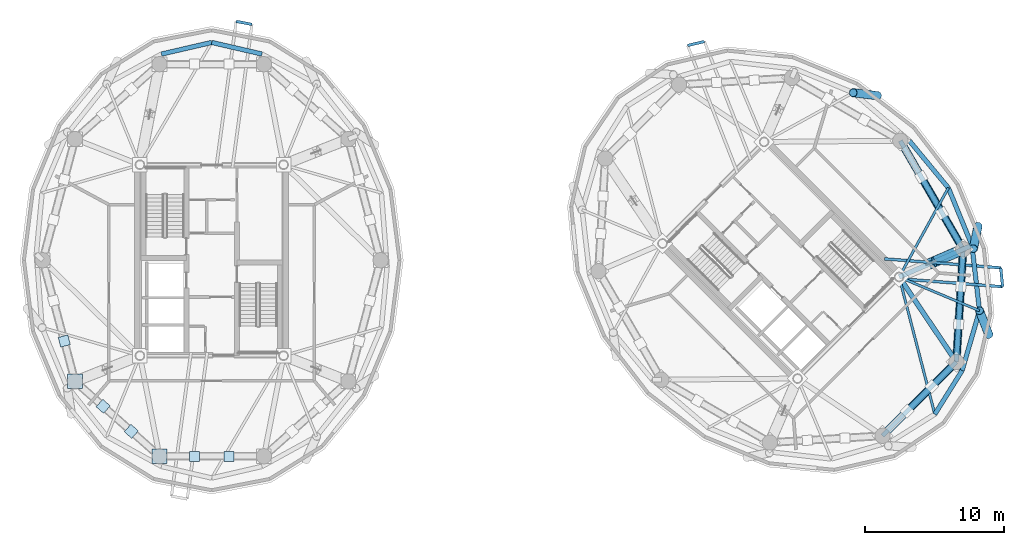
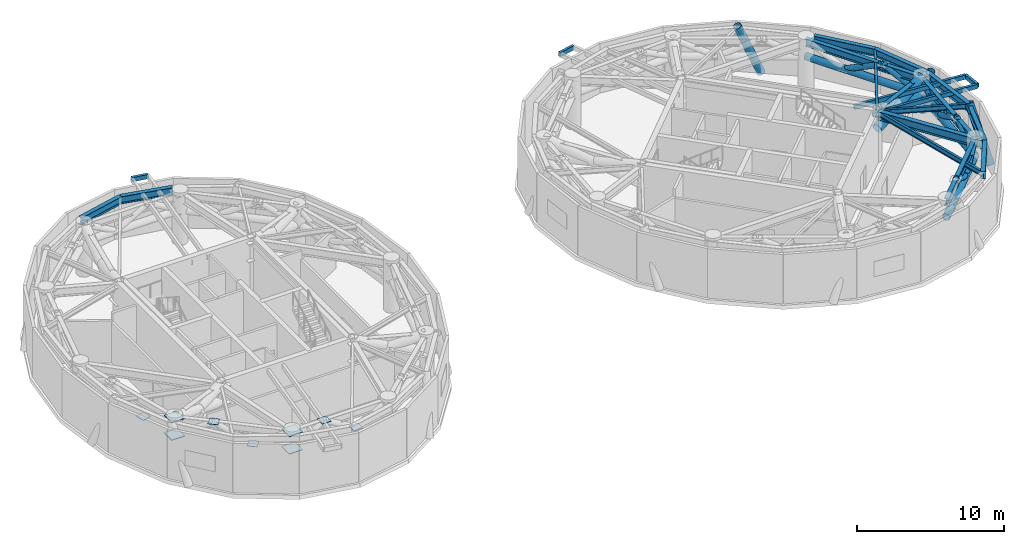
# One storey, part 5 of 14: 20 beams, 15 members, 9 plates.
"""IFC4 building model written with IfcOpenShell, lengths in metres."""

from ifc_helpers import new_model, si_unit, direction, frame, origin, origin_2d, place, context, subcontext, project, spatial, rectangle, hollow_rectangle, hollow_circle, i_section, extrude, source, transform, mapped, material, layer, layer_set, material_profile, profile_set, type_object, element, save


model = new_model("IFC4")

# Units and contexts
model_context = context("Model", 3, precision=1e-05, world=origin(), true_north=direction((0.0, 1.0)))
body_context = subcontext(model_context, "Body", "Model", "MODEL_VIEW")
ifc_project = project(units=[si_unit("LENGTHUNIT", "METRE"), si_unit("AREAUNIT", "SQUARE_METRE"), si_unit("VOLUMEUNIT", "CUBIC_METRE"), si_unit("PLANEANGLEUNIT", "RADIAN"), si_unit("MASSUNIT", "GRAM", prefix="KILO")], contexts=[model_context])

# Site, building, storey
site_placement = place(None, origin())
site = spatial("IfcSite", under=ifc_project, at=site_placement, CompositionType="ELEMENT")
building_placement = place(site_placement, origin())
building = spatial("IfcBuilding", under=site, at=building_placement, Name="Cununo Teusaquillo Station Towers", CompositionType="ELEMENT")
storey_placement = place(building_placement, frame((0.0, 0.0, 192.340087890625)))
storey = spatial("IfcBuildingStorey", under=building, at=storey_placement, Name="L61", CompositionType="ELEMENT", Elevation=192.340087890625)

# Beams
ifc_material_1 = material(Name="Steel EN 10025-2 S355J2", Category="steel")
ifc_material_profile_1 = material_profile(ifc_material_1, hollow_rectangle(XDim=0.199951171875, YDim=0.35009765625, WallThickness=0.013916015625, at=origin_2d()), Name="RHS 350x200x14")
ifc_profile_set_1 = profile_set([ifc_material_profile_1], Name="Steel EN 10025-2 S355J2")
beam_type_1 = type_object("IfcBeamType", Name="BM-BAL-CANT", PredefinedType="BEAM", material=ifc_profile_set_1)
beam_1_placement = place(storey_placement, frame((65.602783203125, 23.1982421875, 3.934814453125), z_axis=(0.997032447952, -0.076982450804, 0.0), x_axis=(0.076982450804, 0.997032447952, 0.0)))
element("IfcBeam", 1, at=beam_1_placement, inside=storey, type_object=beam_type_1, Name="L61 Tower B Balcony Cantilever Bracket 2A", PredefinedType="BEAM", context=body_context, shape_type="SweptSolid", body=[
    extrude(hollow_rectangle(XDim=0.199951171875, YDim=0.35009765625, WallThickness=0.013916015625, at=origin_2d()), origin(), (0.0, 0.0, 1.0), 7.89990234375),
])
beam_2_placement = place(storey_placement, frame((64.966064453125, 24.599853515625, 3.934814453125), z_axis=(0.997033941401, -0.076963106063, 0.0), x_axis=(0.076963106063, 0.997033941401, 0.0)))
element("IfcBeam", 2, at=beam_2_placement, inside=storey, type_object=beam_type_1, Name="L61 Tower B Balcony Cantilever Bracket 2B", PredefinedType="BEAM", context=body_context, shape_type="SweptSolid", body=[
    extrude(hollow_rectangle(XDim=0.199951171875, YDim=0.35009765625, WallThickness=0.013916015625, at=origin_2d()), origin(), (0.0, 0.0, 1.0), 8.403076171875),
])
ifc_material_2 = material(Name="Steel ASTM A572 Grade 50", Category="steel")
ifc_material_profile_2 = material_profile(ifc_material_2, i_section(OverallWidth=0.180908203125, OverallDepth=0.4169921875, WebThickness=0.010986328125, FlangeThickness=0.018310546875, FilletRadius=0.012939453125, at=origin_2d()), Name="W16X57")
ifc_profile_set_2 = profile_set([ifc_material_profile_2], Name="Steel ASTM A572 Grade 50")
beam_type_2 = type_object("IfcBeamType", Name="BM-JOIST-1", PredefinedType="JOIST", material=ifc_profile_set_2)
beam_3_placement = place(storey_placement, frame((66.024169921875, 23.29443359375, 3.9013671875), z_axis=(0.251559992432, -0.967841707206, 0.0), x_axis=(0.967841707206, 0.251559992432, 0.0)))
element("IfcBeam", 3, at=beam_3_placement, inside=storey, type_object=beam_type_2, Name="L61 Tower B Radial Spandrel Joist V15", PredefinedType="JOIST", context=body_context, shape_type="SweptSolid", body=[
    extrude(i_section(OverallWidth=0.180908203125, OverallDepth=0.4169921875, WebThickness=0.010986328125, FlangeThickness=0.018310546875, FilletRadius=0.012939453125, at=origin_2d()), origin(), (0.0, 0.0, 1.0), 10.217529296875),
])
beam_4_placement = place(storey_placement, frame((66.024169921875, 23.29443359375, 3.9013671875), z_axis=(0.922169338565, -0.386786389381, 0.0), x_axis=(0.386786389381, 0.922169338565, 0.0)))
element("IfcBeam", 4, at=beam_4_placement, inside=storey, type_object=beam_type_2, Name="L61 Tower B Radial Spandrel Joist V17", PredefinedType="JOIST", context=body_context, shape_type="SweptSolid", body=[
    extrude(i_section(OverallWidth=0.180908203125, OverallDepth=0.4169921875, WebThickness=0.010986328125, FlangeThickness=0.018310546875, FilletRadius=0.012939453125, at=origin_2d()), origin(), (0.0, 0.0, 1.0), 6.281005859375),
])
beam_5_placement = place(storey_placement, frame((66.024169921875, 23.29443359375, 3.9013671875), z_axis=(0.483552544108, 0.8753153358, 0.0), x_axis=(-0.8753153358, 0.483552544108, 0.0)))
element("IfcBeam", 5, at=beam_5_placement, inside=storey, type_object=beam_type_2, Name="L61 Tower B Radial Spandrel Joist V19", PredefinedType="JOIST", context=body_context, shape_type="SweptSolid", body=[
    extrude(i_section(OverallWidth=0.180908203125, OverallDepth=0.4169921875, WebThickness=0.010986328125, FlangeThickness=0.018310546875, FilletRadius=0.012939453125, at=origin_2d()), origin(), (0.0, 0.0, 1.0), 7.3330078125),
])
ifc_material_3 = material(Name="Steel ASTM A572 Grade 50", Category="steel")
ifc_material_profile_3 = material_profile(ifc_material_3, i_section(OverallWidth=0.35498046875, OverallDepth=0.696044921875, WebThickness=0.015380859375, FlangeThickness=0.02490234375, FilletRadius=0.01806640625, at=origin_2d()), Name="W27X146")
ifc_profile_set_3 = profile_set([ifc_material_profile_3], Name="Steel ASTM A572 Grade 50")
beam_type_3 = type_object("IfcBeamType", Name="BM-PLNT-G1", PredefinedType="BEAM", material=ifc_profile_set_3)
beam_6_placement = place(storey_placement, frame((66.024169921875, 23.29443359375, 3.761962890625), z_axis=(0.558570844079, -0.829456817529, 0.0), x_axis=(0.829456817529, 0.558570844079, 0.0)))
element("IfcBeam", 6, at=beam_6_placement, inside=storey, type_object=beam_type_3, Name="L61 Tower B Continuous Overhanging Radial Girder 09", PredefinedType="BEAM", context=body_context, shape_type="SweptSolid", body=[
    extrude(i_section(OverallWidth=0.35498046875, OverallDepth=0.696044921875, WebThickness=0.015380859375, FlangeThickness=0.02490234375, FilletRadius=0.01806640625, at=origin_2d()), origin(), (0.0, 0.0, 1.0), 8.1240234375),
])
beam_7_placement = place(storey_placement, frame((66.024169921875, 23.29443359375, 3.761962890625), z_axis=(0.917665176837, 0.397354530893, 0.0), x_axis=(-0.397354530893, 0.917665176837, 0.0)))
element("IfcBeam", 7, at=beam_7_placement, inside=storey, type_object=beam_type_3, Name="L61 Tower B Continuous Overhanging Radial Girder 10", PredefinedType="BEAM", context=body_context, shape_type="SweptSolid", body=[
    extrude(i_section(OverallWidth=0.35498046875, OverallDepth=0.696044921875, WebThickness=0.015380859375, FlangeThickness=0.02490234375, FilletRadius=0.01806640625, at=origin_2d()), origin(), (0.0, 0.0, 1.0), 5.716552734375),
])
ifc_material_4 = material(Name="Steel ASTM A572 Grade 50", Category="steel")
ifc_material_profile_4 = material_profile(ifc_material_4, i_section(OverallWidth=0.324951171875, OverallDepth=0.615966796875, WebThickness=0.013916015625, FlangeThickness=0.021484375, FilletRadius=0.01611328125, at=origin_2d()), Name="W24X117")
ifc_profile_set_4 = profile_set([ifc_material_profile_4], Name="Steel ASTM A572 Grade 50")
beam_type_4 = type_object("IfcBeamType", Name="BM-PLNT-G2", PredefinedType="BEAM", material=ifc_profile_set_4)
for number, where, z_axis, x_axis, name in (
    (8, (20.118896484375, 39.353515625, 3.802001953125), (-0.97431470066, 0.225190728224, 0.0), (-0.225190728224, -0.97431470066, 0.0), "L61 Tower A Spandrel Ring Beam 05"),
    (9, (16.5, 40.18994140625, 3.802001953125), (-0.97431470066, -0.225190728224, 0.0), (0.225190728224, -0.97431470066, 0.0), "L61 Tower A Spandrel Ring Beam 06"),
):
    element("IfcBeam", number, at=place(storey_placement, frame(where, z_axis=z_axis, x_axis=x_axis)), inside=storey, type_object=beam_type_4, Name=name, PredefinedType="BEAM", context=body_context, shape_type="SweptSolid", body=[
        extrude(i_section(OverallWidth=0.324951171875, OverallDepth=0.615966796875, WebThickness=0.013916015625, FlangeThickness=0.021484375, FilletRadius=0.01611328125, at=origin_2d()), origin(), (0.0, 0.0, 1.0), 3.71435546875),
    ])
beam_8_placement = place(storey_placement, frame((64.826904296875, 11.853759765625, 3.802001953125), z_axis=(0.707106781187, 0.707106781187, 0.0), x_axis=(-0.707106781187, 0.707106781187, 0.0)))
element("IfcBeam", 10, at=beam_8_placement, inside=storey, type_object=beam_type_4, Name="L61 Tower B Structural Column Ring Girder 08", PredefinedType="BEAM", context=body_context, shape_type="SweptSolid", body=[
    extrude(i_section(OverallWidth=0.324951171875, OverallDepth=0.615966796875, WebThickness=0.013916015625, FlangeThickness=0.021484375, FilletRadius=0.01611328125, at=origin_2d()), origin(), (0.0, 0.0, 1.0), 7.522705078125),
])
beam_9_placement = place(storey_placement, frame((70.146240234375, 17.173095703125, 3.802001953125), z_axis=(0.06012979176, 0.998190567048, 0.0), x_axis=(-0.998190567048, 0.06012979176, 0.0)))
element("IfcBeam", 11, at=beam_9_placement, inside=storey, type_object=beam_type_4, Name="L61 Tower B Structural Column Ring Girder 09", PredefinedType="BEAM", context=body_context, shape_type="SweptSolid", body=[
    extrude(i_section(OverallWidth=0.324951171875, OverallDepth=0.615966796875, WebThickness=0.013916015625, FlangeThickness=0.021484375, FilletRadius=0.01611328125, at=origin_2d()), origin(), (0.0, 0.0, 1.0), 8.132568359375),
])
beam_10_placement = place(storey_placement, frame((70.63525390625, 25.291015625, 3.802001953125), z_axis=(-0.501311121078, 0.865267103202, 0.0), x_axis=(-0.865267103202, -0.501311121078, 0.0)))
element("IfcBeam", 12, at=beam_10_placement, inside=storey, type_object=beam_type_4, Name="L61 Tower B Structural Column Ring Girder 10", PredefinedType="BEAM", context=body_context, shape_type="SweptSolid", body=[
    extrude(i_section(OverallWidth=0.324951171875, OverallDepth=0.615966796875, WebThickness=0.013916015625, FlangeThickness=0.021484375, FilletRadius=0.01611328125, at=origin_2d()), origin(), (0.0, 0.0, 1.0), 9.032958984375),
])
beam_11_placement = place(storey_placement, frame((68.594482421875, 13.405517578125, 3.802001953125), z_axis=(0.529715312739, 0.848175505099, 0.0), x_axis=(-0.848175505099, 0.529715312739, 0.0)))
element("IfcBeam", 13, at=beam_11_placement, inside=storey, type_object=beam_type_4, Name="L61 Tower B Spandrel Ring Beam 16", PredefinedType="BEAM", context=body_context, shape_type="SweptSolid", body=[
    extrude(i_section(OverallWidth=0.324951171875, OverallDepth=0.615966796875, WebThickness=0.013916015625, FlangeThickness=0.021484375, FilletRadius=0.01611328125, at=origin_2d()), origin(), (0.0, 0.0, 1.0), 3.71435546875),
])
beam_12_placement = place(storey_placement, frame((70.56201171875, 16.555908203125, 3.802001953125), z_axis=(0.279502797802, 0.96014487762, 0.0), x_axis=(-0.96014487762, 0.279502797802, 0.0)))
element("IfcBeam", 14, at=beam_12_placement, inside=storey, type_object=beam_type_4, Name="L61 Tower B Spandrel Ring Beam 17", PredefinedType="BEAM", context=body_context, shape_type="SweptSolid", body=[
    extrude(i_section(OverallWidth=0.324951171875, OverallDepth=0.615966796875, WebThickness=0.013916015625, FlangeThickness=0.021484375, FilletRadius=0.01611328125, at=origin_2d()), origin(), (0.0, 0.0, 1.0), 4.488037109375),
])
beam_13_placement = place(storey_placement, frame((71.81640625, 20.864990234375, 3.802001953125), z_axis=(-0.115452326356, 0.993313022334, 0.0), x_axis=(-0.993313022334, -0.115452326356, 0.0)))
element("IfcBeam", 15, at=beam_13_placement, inside=storey, type_object=beam_type_4, Name="L61 Tower B Spandrel Ring Beam 18", PredefinedType="BEAM", context=body_context, shape_type="SweptSolid", body=[
    extrude(i_section(OverallWidth=0.324951171875, OverallDepth=0.615966796875, WebThickness=0.013916015625, FlangeThickness=0.021484375, FilletRadius=0.01611328125, at=origin_2d()), origin(), (0.0, 0.0, 1.0), 4.732666015625),
])
beam_14_placement = place(storey_placement, frame((71.27001953125, 25.56591796875, 3.802001953125), z_axis=(-0.379275405388, 0.925283830437, 0.0), x_axis=(-0.925283830437, -0.379275405388, 0.0)))
element("IfcBeam", 16, at=beam_14_placement, inside=storey, type_object=beam_type_4, Name="L61 Tower B Spandrel Ring Beam 19", PredefinedType="BEAM", context=body_context, shape_type="SweptSolid", body=[
    extrude(i_section(OverallWidth=0.324951171875, OverallDepth=0.615966796875, WebThickness=0.013916015625, FlangeThickness=0.021484375, FilletRadius=0.01611328125, at=origin_2d()), origin(), (0.0, 0.0, 1.0), 4.482177734375),
])
beam_15_placement = place(storey_placement, frame((69.570068359375, 29.713134765625, 3.802001953125), z_axis=(-0.637524682095, 0.770429931739, 0.0), x_axis=(-0.770429931739, -0.637524682095, 0.0)))
element("IfcBeam", 17, at=beam_15_placement, inside=storey, type_object=beam_type_4, Name="L61 Tower B Spandrel Ring Beam 20", PredefinedType="BEAM", context=body_context, shape_type="SweptSolid", body=[
    extrude(i_section(OverallWidth=0.324951171875, OverallDepth=0.615966796875, WebThickness=0.013916015625, FlangeThickness=0.021484375, FilletRadius=0.01611328125, at=origin_2d()), origin(), (0.0, 0.0, 1.0), 4.412353515625),
])
ifc_material_5 = material(Name="Steel EN 10025-2 S355J2", Category="steel")
ifc_material_profile_5 = material_profile(ifc_material_5, hollow_rectangle(XDim=0.199951171875, YDim=0.35009765625, WallThickness=0.013916015625, at=origin_2d()), Name="RHS 350x200x14")
ifc_profile_set_5 = profile_set([ifc_material_profile_5], Name="Steel EN 10025-2 S355J2")
beam_type_5 = type_object("IfcBeamType", Name="BM-STAIR-TRIM", PredefinedType="BEAM", material=ifc_profile_set_5)
beam_16_placement = place(storey_placement, frame((19.398193359375, 41.489501953125, 3.934814453125), z_axis=(-0.981857200028, 0.189621830897, 0.0), x_axis=(-0.189621830897, -0.981857200028, 0.0)))
element("IfcBeam", 18, at=beam_16_placement, inside=storey, type_object=beam_type_5, Name="L61 Tower A Balcony Edge Trimmer Beam 1", PredefinedType="BEAM", context=body_context, shape_type="SweptSolid", body=[
    extrude(hollow_rectangle(XDim=0.199951171875, YDim=0.35009765625, WallThickness=0.013916015625, at=origin_2d()), origin(), (0.0, 0.0, 1.0), 1.157470703125),
])
beam_17_placement = place(storey_placement, frame((51.9951171875, 40.255859375, 3.934814453125), z_axis=(-0.973841209742, -0.227229615606, 0.0), x_axis=(0.227229615606, -0.973841209742, 0.0)))
element("IfcBeam", 19, at=beam_17_placement, inside=storey, type_object=beam_type_5, Name="L61 Tower B Balcony Edge Trimmer Beam 1", PredefinedType="BEAM", context=body_context, shape_type="SweptSolid", body=[
    extrude(hollow_rectangle(XDim=0.199951171875, YDim=0.35009765625, WallThickness=0.013916015625, at=origin_2d()), origin(), (0.0, 0.0, 1.0), 1.240966796875),
])
beam_18_placement = place(storey_placement, frame((73.479248046875, 22.590087890625, 3.934814453125), z_axis=(-0.098568340868, 0.995130284022, 0.0), x_axis=(-0.995130284022, -0.098568340868, 0.0)))
element("IfcBeam", 20, at=beam_18_placement, inside=storey, type_object=beam_type_5, Name="L61 Tower B Balcony Edge Trimmer Beam 2", PredefinedType="BEAM", context=body_context, shape_type="SweptSolid", body=[
    extrude(hollow_rectangle(XDim=0.199951171875, YDim=0.35009765625, WallThickness=0.013916015625, at=origin_2d()), origin(), (0.0, 0.0, 1.0), 1.36962890625),
])

# Members
ifc_material_6 = material(Name="Steel EN 10025-2 S355J2", Category="steel")
ifc_material_profile_6 = material_profile(ifc_material_6, hollow_circle(Radius=0.279541015625, WallThickness=0.02001953125, at=origin_2d()), Name="CHS 559x20")
ifc_profile_set_6 = profile_set([ifc_material_profile_6], Name="Steel EN 10025-2 S355J2")
member_type_1 = type_object("IfcMemberType", Name="MBR-BELT-CH", PredefinedType="CHORD", material=ifc_profile_set_6)
member_1_placement = place(storey_placement, frame((64.826904296875, 11.853759765625, 2.579833984375), z_axis=(0.707106781187, 0.707106781187, 0.0), x_axis=(-0.707106781187, 0.707106781187, 0.0)))
element("IfcMember", 21, at=member_1_placement, inside=storey, type_object=member_type_1, Name="L61 Tower B Belt Truss Lower Chord 08", PredefinedType="CHORD", context=body_context, shape_type="SweptSolid", body=[
    extrude(hollow_circle(Radius=0.279541015625, WallThickness=0.02001953125, at=origin_2d()), origin(), (0.0, 0.0, 1.0), 7.522705078125),
])
member_2_placement = place(storey_placement, frame((70.146240234375, 17.173095703125, 2.579833984375), z_axis=(0.06012979176, 0.998190567048, 0.0), x_axis=(-0.998190567048, 0.06012979176, 0.0)))
element("IfcMember", 22, at=member_2_placement, inside=storey, type_object=member_type_1, Name="L61 Tower B Belt Truss Lower Chord 09", PredefinedType="CHORD", context=body_context, shape_type="SweptSolid", body=[
    extrude(hollow_circle(Radius=0.279541015625, WallThickness=0.02001953125, at=origin_2d()), origin(), (0.0, 0.0, 1.0), 8.132568359375),
])
member_3_placement = place(storey_placement, frame((70.63525390625, 25.291015625, 2.579833984375), z_axis=(-0.501311121078, 0.865267103202, 0.0), x_axis=(-0.865267103202, -0.501311121078, 0.0)))
element("IfcMember", 23, at=member_3_placement, inside=storey, type_object=member_type_1, Name="L61 Tower B Belt Truss Lower Chord 10", PredefinedType="CHORD", context=body_context, shape_type="SweptSolid", body=[
    extrude(hollow_circle(Radius=0.279541015625, WallThickness=0.02001953125, at=origin_2d()), origin(), (0.0, 0.0, 1.0), 9.032958984375),
])
ifc_material_7 = material(Name="Steel EN 10025-2 S355J2", Category="steel")
ifc_material_profile_7 = material_profile(ifc_material_7, hollow_circle(Radius=0.228515625, WallThickness=0.01611328125, at=origin_2d()), Name="CHS 457x16")
ifc_profile_set_7 = profile_set([ifc_material_profile_7], Name="Steel EN 10025-2 S355J2")
member_type_2 = type_object("IfcMemberType", Name="MBR-BELT-WB", PredefinedType="BRACE", material=ifc_profile_set_7)
for number, where, z_axis, x_axis, name in (
    (24, (66.60009765625, 13.626708984375, 4.030029296875), (0.612119767758, 0.612119767758, -0.500618397423), (-0.707106781187, 0.707106781187, 0.0), "L61 Tower B Belt Truss Warren Brace 08B"),
    (25, (68.373291015625, 15.39990234375, 2.579833984375), (0.61206706311, 0.61215134665, 0.500644224026), (-0.707155461561, 0.707058097461, 0.0), "L61 Tower B Belt Truss Warren Brace 08C"),
):
    element("IfcMember", number, at=place(storey_placement, frame(where, z_axis=z_axis, x_axis=x_axis)), inside=storey, type_object=member_type_2, Name=name, PredefinedType="BRACE", context=body_context, shape_type="SweptSolid", body=[
        extrude(hollow_circle(Radius=0.228515625, WallThickness=0.01611328125, at=origin_2d()), origin(), (0.0, 0.0, 1.0), 2.896728515625),
    ])
for number, where, z_axis, x_axis, name in (
    (26, (70.146240234375, 17.173095703125, 2.579833984375), (0.053045136771, 0.880168107732, 0.471688791044), (-0.998188873423, 0.060157900347, 0.0), "L61 Tower B Belt Truss Warren Brace 09A"),
    (27, (70.309326171875, 19.879150390625, 4.030029296875), (0.052965950823, 0.880171812473, -0.471690776443), (-0.998194277232, 0.060068168794, 0.0), "L61 Tower B Belt Truss Warren Brace 09B"),
):
    element("IfcMember", number, at=place(storey_placement, frame(where, z_axis=z_axis, x_axis=x_axis)), inside=storey, type_object=member_type_2, Name=name, PredefinedType="BRACE", context=body_context, shape_type="SweptSolid", body=[
        extrude(hollow_circle(Radius=0.228515625, WallThickness=0.01611328125, at=origin_2d()), origin(), (0.0, 0.0, 1.0), 3.074462890625),
    ])
member_4_placement = place(storey_placement, frame((70.47216796875, 22.585205078125, 2.579833984375), z_axis=(0.053048844485, 0.880150214708, 0.471721760838), x_axis=(-0.998188547466, 0.060163308645, 0.0)))
element("IfcMember", 28, at=member_4_placement, inside=storey, type_object=member_type_2, Name="L61 Tower B Belt Truss Warren Brace 09C", PredefinedType="BRACE", context=body_context, shape_type="SweptSolid", body=[
    extrude(hollow_circle(Radius=0.228515625, WallThickness=0.01611328125, at=origin_2d()), origin(), (0.0, 0.0, 1.0), 3.07421875),
])
member_5_placement = place(storey_placement, frame((70.63525390625, 25.291015625, 2.579833984375), z_axis=(-0.4516573047, 0.779570880763, 0.433906580934), x_axis=(-0.865268964153, -0.501307909048, 0.0)))
element("IfcMember", 29, at=member_5_placement, inside=storey, type_object=member_type_2, Name="L61 Tower B Belt Truss Warren Brace 10A", PredefinedType="BRACE", context=body_context, shape_type="SweptSolid", body=[
    extrude(hollow_circle(Radius=0.228515625, WallThickness=0.01611328125, at=origin_2d()), origin(), (0.0, 0.0, 1.0), 3.34228515625),
])
member_6_placement = place(storey_placement, frame((69.125732421875, 27.896484375, 4.030029296875), z_axis=(-0.451624874587, 0.779567945118, -0.433945609034), x_axis=(-0.865283758706, -0.501282372441, 0.0)))
element("IfcMember", 30, at=member_6_placement, inside=storey, type_object=member_type_2, Name="L61 Tower B Belt Truss Warren Brace 10B", PredefinedType="BRACE", context=body_context, shape_type="SweptSolid", body=[
    extrude(hollow_circle(Radius=0.228515625, WallThickness=0.01611328125, at=origin_2d()), origin(), (0.0, 0.0, 1.0), 3.341796875),
])
ifc_material_8 = material(Name="Steel EN 10025-2 S355J2", Category="steel")
ifc_material_profile_8 = material_profile(ifc_material_8, hollow_circle(Radius=0.304931640625, WallThickness=0.02001953125, at=origin_2d()), Name="CHS 610x20")
ifc_profile_set_8 = profile_set([ifc_material_profile_8], Name="Steel EN 10025-2 S355J2")
member_type_3 = type_object("IfcMemberType", Name="MBR-DIAG-Z3", PredefinedType="BRACE", material=ifc_profile_set_8)
member_7_placement = place(storey_placement, frame((64.460205078125, 36.35205078125, -0.14013671875), z_axis=(-0.37450121261, 0.046734150763, 0.926047925815), x_axis=(-0.123829930959, -0.992303455702, 0.0)))
element("IfcMember", 31, at=member_7_placement, inside=storey, type_object=member_type_3, Name="L61 Tower B Folded-Zigzag Diagrid Tube C00", PredefinedType="BRACE", context=body_context, shape_type="SweptSolid", body=[
    extrude(hollow_circle(Radius=0.304931640625, WallThickness=0.02001953125, at=origin_2d()), origin(), (0.0, 0.0, 1.0), 4.6650390625),
])
member_8_placement = place(storey_placement, frame((72.478759765625, 19.144775390625, -0.14013671875), z_axis=(-0.141019381153, 0.366244953779, 0.919770714891), x_axis=(-0.933212413609, -0.359325188493, 0.0)))
element("IfcMember", 32, at=member_8_placement, inside=storey, type_object=member_type_3, Name="L61 Tower B Folded-Zigzag Diagrid Tube C16", PredefinedType="BRACE", context=body_context, shape_type="SweptSolid", body=[
    extrude(hollow_circle(Radius=0.304931640625, WallThickness=0.02001953125, at=origin_2d()), origin(), (0.0, 0.0, 1.0), 4.69677734375),
])
member_9_placement = place(storey_placement, frame((71.701904296875, 26.95166015625, -0.14013671875), z_axis=(-0.071243828107, -0.350572407493, 0.933821880265), x_axis=(0.979968879825, -0.199150683089, 0.0)))
element("IfcMember", 33, at=member_9_placement, inside=storey, type_object=member_type_3, Name="L61 Tower B Folded-Zigzag Diagrid Tube C18", PredefinedType="BRACE", context=body_context, shape_type="SweptSolid", body=[
    extrude(hollow_circle(Radius=0.304931640625, WallThickness=0.02001953125, at=origin_2d()), origin(), (0.0, 0.0, 1.0), 4.626220703125),
])
ifc_material_9 = material(Name="Steel EN 10025-2 S355J2", Category="steel")
ifc_material_profile_9 = material_profile(ifc_material_9, hollow_circle(Radius=0.3798828125, WallThickness=0.031982421875, at=origin_2d()), Name="CHS 760x32")
ifc_profile_set_9 = profile_set([ifc_material_profile_9], Name="Steel EN 10025-2 S355J2")
member_type_4 = type_object("IfcMemberType", Name="MBR-OUTR-1", PredefinedType="STRUT", material=ifc_profile_set_9)
member_10_placement = place(storey_placement, frame((66.024169921875, 23.29443359375, 2.579833984375), z_axis=(0.881682953072, 0.381765404258, 0.277291085998), x_axis=(-0.397346986387, 0.917668443616, 0.0)))
element("IfcMember", 34, at=member_10_placement, inside=storey, type_object=member_type_4, Name="L61 Tower B Outrigger Continuous Diagonal 4A", PredefinedType="STRUT", context=body_context, shape_type="SweptSolid", body=[
    extrude(hollow_circle(Radius=0.3798828125, WallThickness=0.031982421875, at=origin_2d()), origin(), (0.0, 0.0, 1.0), 5.22998046875),
])
member_11_placement = place(storey_placement, frame((68.541259765625, 24.38427734375, 3.238525390625), z_axis=(0.881663366694, 0.38177658201, -0.277337969376), x_axis=(-0.397364217029, 0.917660982621, 0.0)))
element("IfcMember", 35, at=member_11_placement, inside=storey, type_object=member_type_4, Name="L61 Tower B Outrigger Split Lower Strut 4B2", PredefinedType="STRUT", context=body_context, shape_type="SweptSolid", body=[
    extrude(hollow_circle(Radius=0.3798828125, WallThickness=0.031982421875, at=origin_2d()), origin(), (0.0, 0.0, 1.0), 2.375),
])

# Plates
ifc_material_10 = material(Name="Steel ASTM A572 Grade 50", Category="steel")
ifc_layer_1 = layer(ifc_material_10, 0.054931640625)
ifc_layer_set_1 = layer_set([ifc_layer_1], Name="Steel ASTM A572 Grade 50")
plate_type_1 = type_object("IfcPlateType", Name="PLT-NODE-OTN1", PredefinedType="USERDEFINED", material=ifc_layer_set_1)
shared_shape_1 = source(origin(), body_context, "Body", "SweptSolid", [
    extrude(rectangle(XDim=1.050048828125, YDim=1.050048828125, at=origin_2d()), origin(), (0.0, 0.0, 1.0), 0.054931640625),
])
for number, where, z_axis, x_axis, name in (
    (36, (6.652587890625, 15.771484375, 2.55224609375), (0.0, 0.0, 1.0), (1.0, 0.0, 0.0), "L61 Tower A Belt Truss Column Gusset 07B"),
    (37, (6.652587890625, 15.771484375, 4.00244140625), (0.0, 0.0, 1.0), (1.0, 0.0, 0.0), "L61 Tower A Belt Truss Column Gusset 07T"),
    (38, (12.738525390625, 10.376708984375, 2.55224609375), (0.0, 0.0, 1.0), (1.0, 0.0, 0.0), "L61 Tower A Belt Truss Column Gusset 08B"),
    (39, (12.738525390625, 10.376708984375, 4.00244140625), (0.0, 0.0, 1.0), (1.0, 0.0, 0.0), "L61 Tower A Belt Truss Column Gusset 08T"),
):
    element("IfcPlate", number, at=place(storey_placement, frame(where, z_axis=z_axis, x_axis=x_axis)), inside=storey, type_object=plate_type_1, Name=name, ObjectType="GUSSET PLATE", PredefinedType="USERDEFINED", context=body_context, shape_type="MappedRepresentation", body=[
        mapped(shared_shape_1, transform((0.0, 0.0, 0.0), x_axis=(1.0, 0.0, 0.0), y_axis=(0.0, 1.0, 0.0), z_axis=(0.0, 0.0, 1.0), scale=1.0)),
    ])
ifc_material_11 = material(Name="Steel ASTM A572 Grade 50", Category="steel")
ifc_layer_2 = layer(ifc_material_11, 0.030029296875)
ifc_layer_set_2 = layer_set([ifc_layer_2], Name="Steel ASTM A572 Grade 50")
plate_type_2 = type_object("IfcPlateType", Name="PLT-NODE-XBR", PredefinedType="USERDEFINED", material=ifc_layer_set_2)
shared_shape_2 = source(origin(), body_context, "Body", "SweptSolid", [
    extrude(rectangle(XDim=0.719970703125, YDim=0.719970703125, at=origin_2d()), origin(), (0.0, 0.0, 1.0), 0.030029296875),
])
for number, where, z_axis, x_axis, name in (
    (40, (5.877685546875, 18.680908203125, 2.56494140625), (0.0, 0.0, 1.0), (0.257301453681, -0.966331186464, 0.0), "L61 Tower A Belt Web Node Gusset XBP1 06B2"),
    (41, (8.681396484375, 13.97314453125, 4.01513671875), (0.0, 0.0, 1.0), (0.748377190605, -0.66327338299, 0.0), "L61 Tower A Belt Web Node Gusset XBP1 07T1"),
    (42, (10.7099609375, 12.175048828125, 2.56494140625), (0.0, 0.0, 1.0), (0.748377190605, -0.66327338299, 0.0), "L61 Tower A Belt Web Node Gusset XBP1 07B2"),
    (43, (15.24609375, 10.376708984375, 4.01513671875), (0.0, 0.0, 1.0), (1.0, 0.0, 0.0), "L61 Tower A Belt Web Node Gusset XBP1 08T1"),
    (44, (17.75390625, 10.376708984375, 2.56494140625), (0.0, 0.0, 1.0), (1.0, 0.0, 0.0), "L61 Tower A Belt Web Node Gusset XBP1 08B2"),
):
    element("IfcPlate", number, at=place(storey_placement, frame(where, z_axis=z_axis, x_axis=x_axis)), inside=storey, type_object=plate_type_2, Name=name, ObjectType="GUSSET PLATE", PredefinedType="USERDEFINED", context=body_context, shape_type="MappedRepresentation", body=[
        mapped(shared_shape_2, transform((0.0, 0.0, 0.0), x_axis=(1.0, 0.0, 0.0), y_axis=(0.0, 1.0, 0.0), z_axis=(0.0, 0.0, 1.0), scale=1.0)),
    ])

save(model, "model.ifc")
